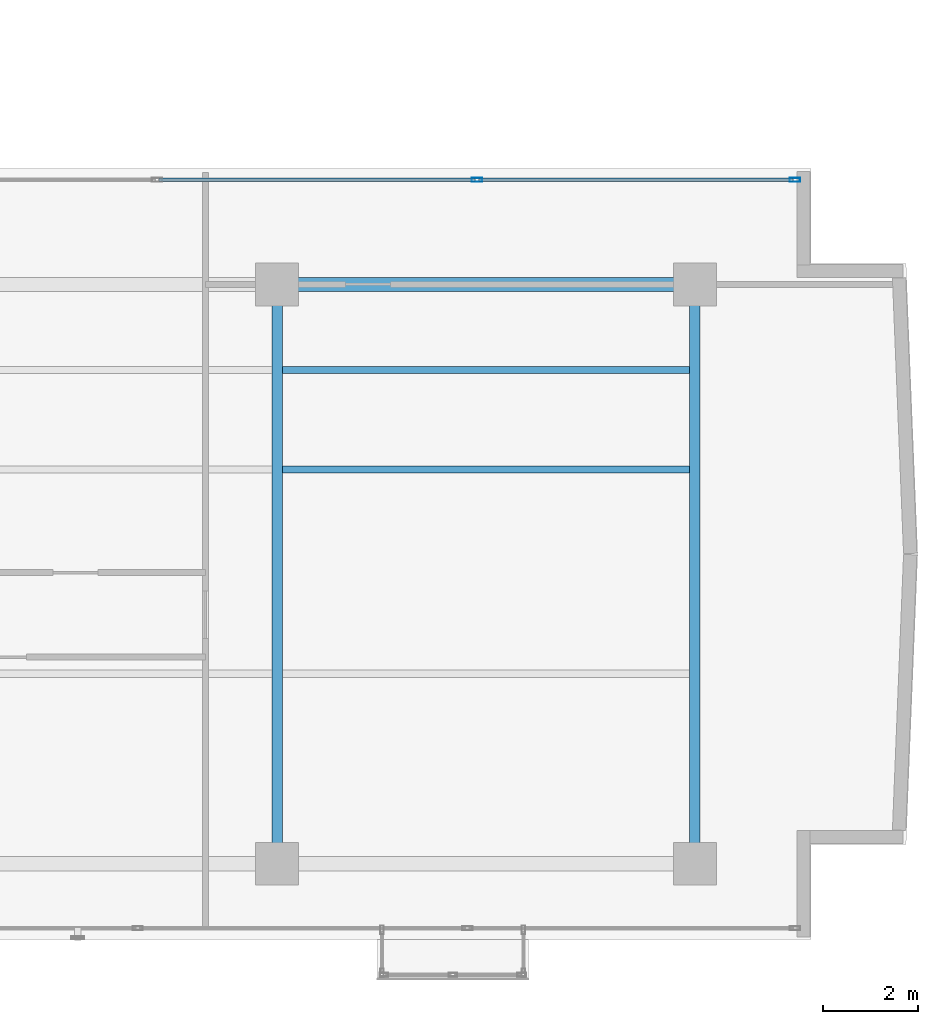
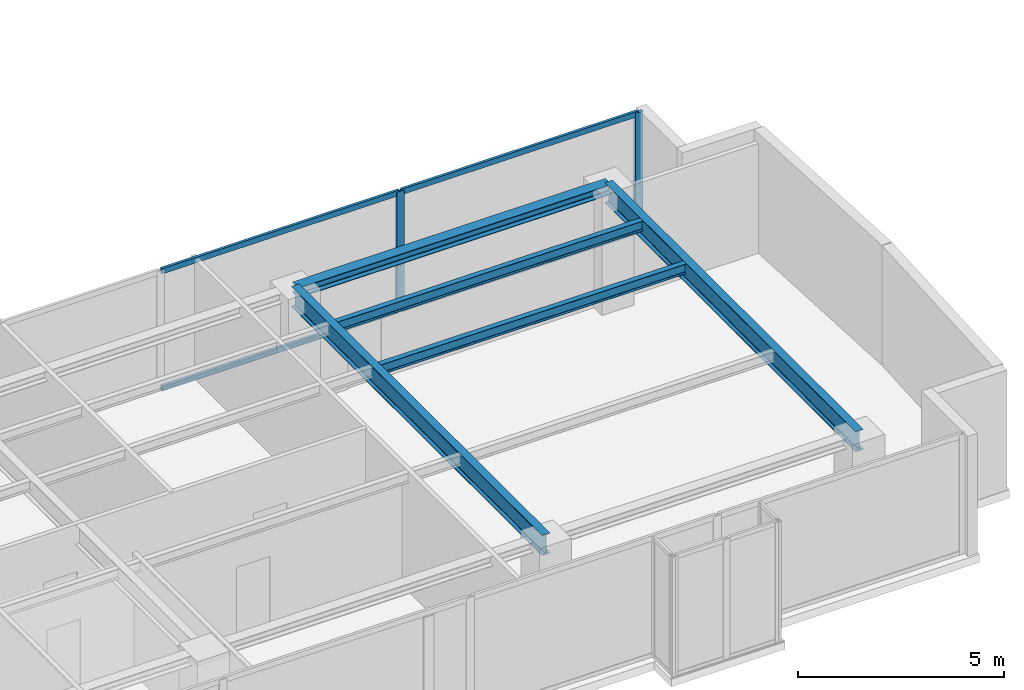
# One storey, part 11 of 23: 6 members, 5 beams, 1 element without a shape of its own.
"""IFC4 building model written with IfcOpenShell, lengths in metres."""

from ifc_helpers import new_model, si_unit, direction, frame, origin, origin_with_axes, origin_2d, place, context, subcontext, project, spatial, hollow_rectangle, i_section, extrude, source, transform, mapped, material, layer, layer_set, material_profile, profile_set, type_object, element, aggregate, save


model = new_model("IFC4")

# Units and contexts
model_context = context("Model", 3, precision=1e-05, world=origin(), true_north=direction((0.0, 1.0)))
body_context = subcontext(model_context, "Body", "Model", "MODEL_VIEW")
ifc_project = project(units=[si_unit("LENGTHUNIT", "METRE"), si_unit("AREAUNIT", "SQUARE_METRE"), si_unit("VOLUMEUNIT", "CUBIC_METRE"), si_unit("PLANEANGLEUNIT", "RADIAN"), si_unit("MASSUNIT", "GRAM", prefix="KILO")], contexts=[model_context])

# Site, building, storey
site_placement = place(None, origin())
site = spatial("IfcSite", under=ifc_project, at=site_placement, CompositionType="ELEMENT")
building_placement = place(site_placement, origin())
building = spatial("IfcBuilding", under=site, at=building_placement, Name="Kolvaren Waterfront Exchange", CompositionType="ELEMENT")
storey_placement = place(building_placement, frame((0.0, 0.0, 319.800048828125)))
storey = spatial("IfcBuildingStorey", under=building, at=storey_placement, Name="L82", CompositionType="ELEMENT", Elevation=319.800048828125)

# Beams
ifc_material_1 = material(Name="Steel S355", Category="steel")
ifc_material_profile_1 = material_profile(ifc_material_1, i_section(OverallWidth=0.300048828125, OverallDepth=0.300048828125, WebThickness=0.010986328125, FlangeThickness=0.01904296875, FilletRadius=0.027099609375, at=origin_2d()), Name="HEB300")
ifc_profile_set_1 = profile_set([ifc_material_profile_1], Name="Steel S355")
beam_type_1 = type_object("IfcBeamType", Name="STR-BM-HEB300", PredefinedType="SPANDREL", material=ifc_profile_set_1)
beam_placement = place(storey_placement, frame((36.800048828125, 17.39990234375, 3.409912109375), z_axis=(1.0, 0.0, 0.0), x_axis=(0.0, 1.0, 0.0)))
element("IfcBeam", 1, at=beam_placement, inside=storey, type_object=beam_type_1, Name="L82 east-arm spandrel N3", PredefinedType="SPANDREL", context=body_context, shape_type="SweptSolid", body=[
    extrude(i_section(OverallWidth=0.300048828125, OverallDepth=0.300048828125, WebThickness=0.010986328125, FlangeThickness=0.01904296875, FilletRadius=0.027099609375, at=origin_2d()), origin(), (0.0, 0.0, 1.0), 8.800048828125),
])
ifc_material_profile_2 = material_profile(ifc_material_1, i_section(OverallWidth=0.14990234375, OverallDepth=0.300048828125, WebThickness=0.007080078125, FlangeThickness=0.0107421875, FilletRadius=0.014892578125, at=origin_2d()), Name="IPE300")
ifc_profile_set_2 = profile_set([ifc_material_profile_2], Name="Steel S355")
beam_type_2 = type_object("IfcBeamType", Name="STR-BM-IPE300", PredefinedType="JOIST", material=ifc_profile_set_2)
for number, where, z_axis, x_axis, name in (
    (2, (36.912109375, 13.5, 3.409912109375), (1.0, 0.0, 0.0), (0.0, 1.0, 0.0), "L82 east-arm composite joist 3A"),
    (3, (36.912109375, 15.60009765625, 3.409912109375), (1.0, 0.0, 0.0), (0.0, 1.0, 0.0), "L82 east-arm composite joist 3C"),
):
    element("IfcBeam", number, at=place(storey_placement, frame(where, z_axis=z_axis, x_axis=x_axis)), inside=storey, type_object=beam_type_2, Name=name, PredefinedType="JOIST", context=body_context, shape_type="SweptSolid", body=[
        extrude(i_section(OverallWidth=0.14990234375, OverallDepth=0.300048828125, WebThickness=0.007080078125, FlangeThickness=0.0107421875, FilletRadius=0.014892578125, at=origin_2d()), origin(), (0.0, 0.0, 1.0), 8.575927734375),
    ])
ifc_material_profile_3 = material_profile(ifc_material_1, i_section(OverallWidth=0.219970703125, OverallDepth=0.60009765625, WebThickness=0.011962890625, FlangeThickness=0.01904296875, FilletRadius=0.02392578125, at=origin_2d()), Name="IPE600")
ifc_profile_set_3 = profile_set([ifc_material_profile_3], Name="Steel S355")
beam_type_3 = type_object("IfcBeamType", Name="STR-BM-IPE600", PredefinedType="BEAM", material=ifc_profile_set_3)
for number, where, z_axis, x_axis, name in (
    (4, (36.800048828125, 5.199951171875, 3.260009765625), (0.0, 1.0, 0.0), (-1.0, 0.0, 0.0), "L82 east-arm transverse girder X36"),
    (5, (45.60009765625, 5.199951171875, 3.260009765625), (0.0, 1.0, 0.0), (-1.0, 0.0, 0.0), "L82 east-arm transverse girder X45"),
):
    element("IfcBeam", number, at=place(storey_placement, frame(where, z_axis=z_axis, x_axis=x_axis)), inside=storey, type_object=beam_type_3, Name=name, PredefinedType="BEAM", context=body_context, shape_type="SweptSolid", body=[
        extrude(i_section(OverallWidth=0.219970703125, OverallDepth=0.60009765625, WebThickness=0.011962890625, FlangeThickness=0.01904296875, FilletRadius=0.02392578125, at=origin_2d()), origin(), (0.0, 0.0, 1.0), 12.199951171875),
    ])

# Curtain wall, members
ifc_material_2 = material(Name="Anodised bronze aluminium 6063-T6", Category="aluminium")
ifc_layer = layer(ifc_material_2, 0.219970703125, Name="Anodised bronze aluminium 6063-T6")
ifc_layer_set = layer_set([ifc_layer], Name="Anodised bronze aluminium 6063-T6")
curtain_wall_type = type_object("IfcCurtainWallType", Name="ARC-CW-SYS1", PredefinedType="USERDEFINED", material=ifc_layer_set)
curtain_wall_placement = place(storey_placement, origin())
curtain_wall = element("IfcCurtainWall", 6, at=curtain_wall_placement, inside=storey, type_object=curtain_wall_type, Name="L82 stick curtain wall CW1 (CW-L82-EN)", ObjectType="STICK CURTAIN WALL", PredefinedType="USERDEFINED")
ifc_material_3 = material(Name="Anodised aluminium 6063-T6", Category="aluminium")
ifc_material_profile_4 = material_profile(ifc_material_3, hollow_rectangle(XDim=0.080078125, YDim=0.219970703125, WallThickness=0.0048828125, at=origin_2d()), Name="ALU-MUL-220x80x5")
ifc_profile_set_4 = profile_set([ifc_material_profile_4], Name="Anodised aluminium 6063-T6")
member_type_1 = type_object("IfcMemberType", Name="ARC-CWM-220", PredefinedType="MULLION", material=ifc_profile_set_4)
shared_shape_1 = source(origin_with_axes(), body_context, "Body", "SweptSolid", [
    extrude(hollow_rectangle(XDim=0.080078125, YDim=0.219970703125, WallThickness=0.0048828125, at=origin_2d()), origin(), (0.0, 0.0, 1.0), 3.56005859375),
])
member_1_placement = place(storey_placement, frame((41.009033203125, 19.60205078125, 0.0), z_axis=(0.0, 0.0, 1.0), x_axis=(0.0, 1.0, 0.0)))
member_1 = element("IfcMember", 7, at=member_1_placement, type_object=member_type_1, Name="CW1 mullion 3", PredefinedType="MULLION", context=body_context, shape_type="MappedRepresentation", body=[
    mapped(shared_shape_1, transform((0.0, 0.0, 0.0), x_axis=(1.0, 0.0, 0.0), y_axis=(0.0, 1.0, 0.0), z_axis=(0.0, 0.0, 1.0), scale=1.0)),
])
member_2_placement = place(storey_placement, frame((47.70751953125, 19.60205078125, 0.0), z_axis=(0.0, 0.0, 1.0), x_axis=(0.0, 1.0, 0.0)))
member_2 = element("IfcMember", 8, at=member_2_placement, type_object=member_type_1, Name="CW1 mullion 4", PredefinedType="MULLION", context=body_context, shape_type="MappedRepresentation", body=[
    mapped(shared_shape_1, transform((0.0, 0.0, 0.0), x_axis=(1.0, 0.0, 0.0), y_axis=(0.0, 1.0, 0.0), z_axis=(0.0, 0.0, 1.0), scale=1.0)),
])
ifc_material_profile_5 = material_profile(ifc_material_3, hollow_rectangle(XDim=0.074951171875, YDim=0.159912109375, WallThickness=0.00439453125, at=origin_2d()), Name="ALU-TRN-160x75x4.5")
ifc_profile_set_5 = profile_set([ifc_material_profile_5], Name="Anodised aluminium 6063-T6")
member_type_2 = type_object("IfcMemberType", Name="ARC-CWT-160", PredefinedType="USERDEFINED", material=ifc_profile_set_5)
shared_shape_2 = source(origin_with_axes(), body_context, "Body", "SweptSolid", [
    extrude(hollow_rectangle(XDim=0.074951171875, YDim=0.159912109375, WallThickness=0.00439453125, at=origin_2d()), origin(), (0.0, 0.0, 1.0), 6.618408203125),
])
member_3_placement = place(storey_placement, frame((41.049072265625, 19.60205078125, 0.037353515625), z_axis=(1.0, 0.0, 0.0), x_axis=(0.0, 1.0, 0.0)))
member_3 = element("IfcMember", 9, at=member_3_placement, type_object=member_type_2, Name="CW1 transom 3.1", ObjectType="TRANSOM", PredefinedType="USERDEFINED", context=body_context, shape_type="MappedRepresentation", body=[
    mapped(shared_shape_2, transform((0.0, 0.0, 0.0), x_axis=(1.0, 0.0, 0.0), y_axis=(0.0, 1.0, 0.0), z_axis=(0.0, 0.0, 1.0), scale=1.0)),
])
member_4_placement = place(storey_placement, frame((41.049072265625, 19.60205078125, 3.5224609375), z_axis=(1.0, 0.0, 0.0), x_axis=(0.0, 1.0, 0.0)))
member_4 = element("IfcMember", 10, at=member_4_placement, type_object=member_type_2, Name="CW1 transom 3.2", ObjectType="TRANSOM", PredefinedType="USERDEFINED", context=body_context, shape_type="MappedRepresentation", body=[
    mapped(shared_shape_2, transform((0.0, 0.0, 0.0), x_axis=(1.0, 0.0, 0.0), y_axis=(0.0, 1.0, 0.0), z_axis=(0.0, 0.0, 1.0), scale=1.0)),
])
shared_shape_3 = source(origin_with_axes(), body_context, "Body", "SweptSolid", [
    extrude(hollow_rectangle(XDim=0.074951171875, YDim=0.159912109375, WallThickness=0.00439453125, at=origin_2d()), origin(), (0.0, 0.0, 1.0), 6.658447265625),
])
member_5_placement = place(storey_placement, frame((34.310546875, 19.60205078125, 0.037353515625), z_axis=(1.0, 0.0, 0.0), x_axis=(0.0, 1.0, 0.0)))
member_5 = element("IfcMember", 11, at=member_5_placement, type_object=member_type_2, Name="CW1 transom 2.1", ObjectType="TRANSOM", PredefinedType="USERDEFINED", context=body_context, shape_type="MappedRepresentation", body=[
    mapped(shared_shape_3, transform((0.0, 0.0, 0.0), x_axis=(1.0, 0.0, 0.0), y_axis=(0.0, 1.0, 0.0), z_axis=(0.0, 0.0, 1.0), scale=1.0)),
])
member_6_placement = place(storey_placement, frame((34.310546875, 19.60205078125, 3.5224609375), z_axis=(1.0, 0.0, 0.0), x_axis=(0.0, 1.0, 0.0)))
member_6 = element("IfcMember", 12, at=member_6_placement, type_object=member_type_2, Name="CW1 transom 2.2", ObjectType="TRANSOM", PredefinedType="USERDEFINED", context=body_context, shape_type="MappedRepresentation", body=[
    mapped(shared_shape_3, transform((0.0, 0.0, 0.0), x_axis=(1.0, 0.0, 0.0), y_axis=(0.0, 1.0, 0.0), z_axis=(0.0, 0.0, 1.0), scale=1.0)),
])
aggregate(curtain_wall, [member_1, member_2, member_5, member_6, member_3, member_4])

save(model, "model.ifc")
